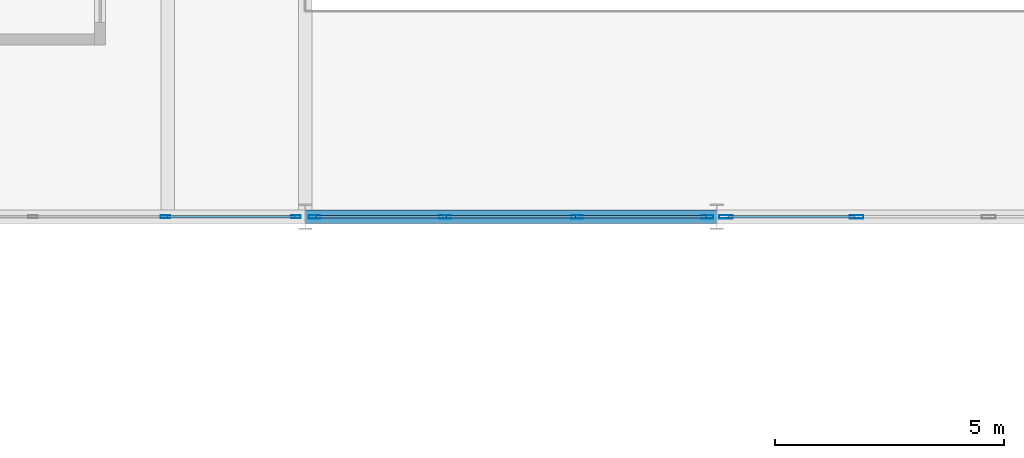
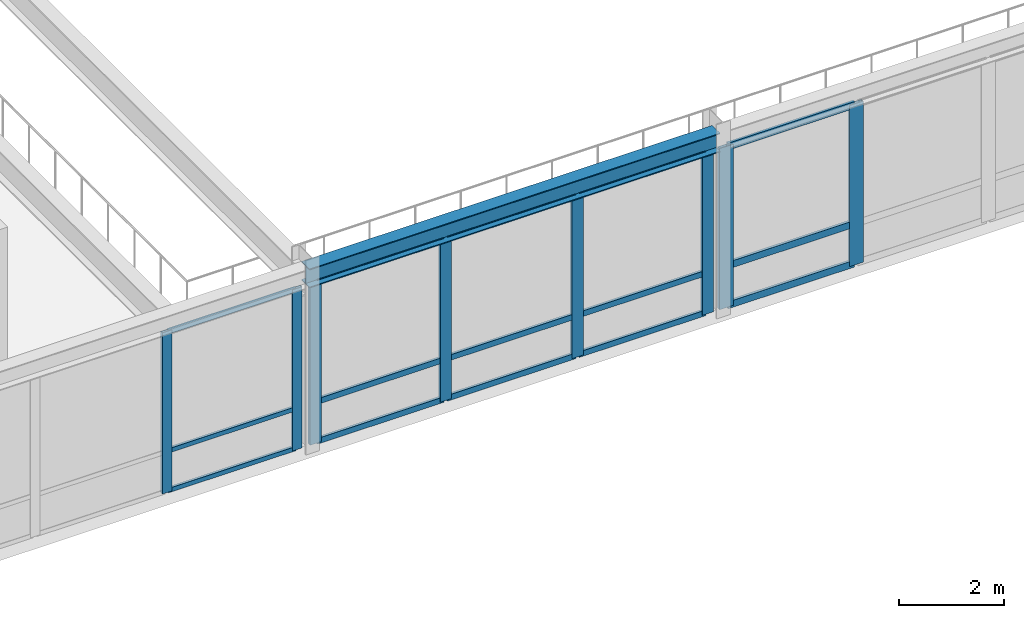
# One storey, part 51 of 127: 23 members, 1 beam, 3 elements without a shape of their own.
"""IFC4 building model written with IfcOpenShell, lengths in metres."""

import ifcopenshell
import ifcopenshell.guid

model = None  # the IFC model being written
_history = None  # IfcOwnerHistory: only IFC2X3 demands one
_inside = {}  # id of a spatial element -> (the spatial element, [elements in it])
_under = {}  # id of a project, library or spatial element -> (it, [spatial elements below it])
_declared = {}  # id of a project -> (the project, [libraries it declares])
_typed = {}  # id of a type object -> (the type object, [elements of that type])
_made_of = {}  # id of a material, layer set ... -> (it, [elements and type objects made of it])


def new_model(schema):
    """Start an empty IFC model of exactly this schema.

    Asked for "IFC4X3", IfcOpenShell would pick the latest addendum, in which some entities
    have other attributes; the version numbers below select the first issue.
    IFC2X3 requires an IfcOwnerHistory on every rooted entity: one is made here for all.
    """
    global model, _history
    if schema == "IFC4X3":
        model = ifcopenshell.file(schema_version=(4, 3, 0, 0))
    else:
        model = ifcopenshell.file(schema=schema)
    _inside.clear()
    _under.clear()
    _declared.clear()
    _typed.clear()
    _made_of.clear()
    _history = None
    if model.schema == "IFC2X3":
        org = make("IfcOrganization", Name="unknown")
        user = make(
            "IfcPersonAndOrganization",
            ThePerson=make("IfcPerson", FamilyName="unknown"),
            TheOrganization=org,
        )
        app = make(
            "IfcApplication",
            ApplicationDeveloper=org,
            Version="unknown",
            ApplicationFullName="unknown",
            ApplicationIdentifier="unknown",
        )
        _history = make(
            "IfcOwnerHistory",
            OwningUser=user,
            OwningApplication=app,
            ChangeAction="ADDED",
            CreationDate=0,
        )
    return model


def make(cls, **values):
    """One entity of the class cls with the attributes given. An attribute that is None is left unset."""
    return model.create_entity(
        cls, **{name: value for name, value in values.items() if value is not None}
    )


def rooted(cls, **values):
    """An entity with a GlobalId (a new one), such as an element, a storey or a relation."""
    return make(cls, GlobalId=ifcopenshell.guid.new(), OwnerHistory=_history, **values)


def si_unit(unit_type, name, prefix=None):
    """IfcSIUnit, for example si_unit("LENGTHUNIT", "METRE", prefix="MILLI")."""
    return make("IfcSIUnit", UnitType=unit_type, Prefix=prefix, Name=name)


def assignment(units):
    """IfcUnitAssignment: the units of a project."""
    return None if units is None else make("IfcUnitAssignment", Units=units)


def point(xyz):
    """IfcCartesianPoint."""
    return None if xyz is None else make("IfcCartesianPoint", Coordinates=xyz)


def direction(xyz):
    """IfcDirection."""
    return None if xyz is None else make("IfcDirection", DirectionRatios=xyz)


def frame(location, z_axis=None, x_axis=None):
    """IfcAxis2Placement3D, a coordinate frame: its origin and axes. An axis left out is left unset."""
    return make(
        "IfcAxis2Placement3D",
        Location=point(location),
        Axis=direction(z_axis),
        RefDirection=direction(x_axis),
    )


def frame_2d(location, x_axis=None):
    """IfcAxis2Placement2D, a coordinate frame in the plane: its origin and x axis."""
    return make(
        "IfcAxis2Placement2D", Location=point(location), RefDirection=direction(x_axis)
    )


def origin():
    """The frame at (0, 0, 0) with its axes left unset."""
    return frame((0.0, 0.0, 0.0))


def origin_2d():
    """The frame at (0, 0) in the plane with its x axis left unset."""
    return frame_2d((0.0, 0.0))


def place(relative_to, where):
    """IfcLocalPlacement: puts the frame where relative to a parent placement (None: the world)."""
    return make(
        "IfcLocalPlacement", PlacementRelTo=relative_to, RelativePlacement=where
    )


def context(
    kind, dimensions, precision=None, world=None, true_north=None, identifier=None
):
    """IfcGeometricRepresentationContext, for example the 3D "Model" context."""
    return make(
        "IfcGeometricRepresentationContext",
        ContextIdentifier=identifier,
        ContextType=kind,
        CoordinateSpaceDimension=dimensions,
        Precision=precision,
        WorldCoordinateSystem=world,
        TrueNorth=true_north,
    )


def subcontext(parent, identifier, kind, view, scale=None):
    """IfcGeometricRepresentationSubContext, for example "Body" below "Model"."""
    return make(
        "IfcGeometricRepresentationSubContext",
        ContextIdentifier=identifier,
        ContextType=kind,
        ParentContext=parent,
        TargetScale=scale,
        TargetView=view,
    )


def project(units=None, contexts=None):
    """IfcProject with its units and contexts."""
    return rooted(
        "IfcProject",
        Name="project",
        RepresentationContexts=contexts,
        UnitsInContext=assignment(units),
    )


def spatial(cls, under=None, at=None, **own):
    """A site, building, storey or space (cls), placed at a placement, below another one or the project."""
    s = rooted(cls, ObjectPlacement=at, **own)
    if under is not None:
        _under.setdefault(under.id(), (under, []))[1].append(s)
    return s


def profile(cls, at=None, kind="AREA", **sizes):
    """A parametric profile (cls). Its sizes go by their IFC names, for example OverallWidth=200.0."""
    return make(cls, ProfileType=kind, Position=at, **sizes)


def hollow_rectangle(**sizes):
    """IfcRectangleHollowProfileDef."""
    return profile("IfcRectangleHollowProfileDef", **sizes)


def i_section(**sizes):
    """IfcIShapeProfileDef."""
    return profile("IfcIShapeProfileDef", **sizes)


def extrude(swept, where, along, depth):
    """IfcExtrudedAreaSolid: the profile swept, set in the frame where, extruded along a direction by depth."""
    return make(
        "IfcExtrudedAreaSolid",
        SweptArea=swept,
        Position=where,
        ExtrudedDirection=direction(along),
        Depth=depth,
    )


def shape(context_of_items, identifier, shape_type, items):
    """IfcShapeRepresentation: the items that make up one representation, for example the "Body"."""
    return make(
        "IfcShapeRepresentation",
        ContextOfItems=context_of_items,
        RepresentationIdentifier=identifier,
        RepresentationType=shape_type,
        Items=items,
    )


def material(Name=None, Category=None):
    """IfcMaterial."""
    return make("IfcMaterial", Name=Name, Category=Category)


def layer(
    of_material, thickness, ventilated=None, Name=None, Category=None, Priority=None
):
    """IfcMaterialLayer: one layer of a wall or slab, of a material (None: an air gap)."""
    return make(
        "IfcMaterialLayer",
        Material=of_material,
        LayerThickness=thickness,
        IsVentilated=ventilated,
        Name=Name,
        Category=Category,
        Priority=Priority,
    )


def layer_set(layers, Name=None):
    """IfcMaterialLayerSet."""
    return make("IfcMaterialLayerSet", MaterialLayers=layers, LayerSetName=Name)


def material_profile(
    of_material, cross_section, Name=None, Category=None, Priority=None
):
    """IfcMaterialProfile: a cross section and its material."""
    return make(
        "IfcMaterialProfile",
        Name=Name,
        Material=of_material,
        Profile=cross_section,
        Priority=Priority,
        Category=Category,
    )


def profile_set(profiles, Name=None, composite=None):
    """IfcMaterialProfileSet."""
    return make(
        "IfcMaterialProfileSet",
        Name=Name,
        MaterialProfiles=profiles,
        CompositeProfile=composite,
    )


def made_of(thing, what):
    """Note that an element or type object is made of a material, layer set ...; save() writes the relation."""
    if what is not None:
        _made_of.setdefault(what.id(), (what, []))[1].append(thing)
    return thing


def type_object(cls, material=None, **own):
    """A type object (cls), such as IfcWallType, which elements share."""
    return made_of(rooted(cls, **own), material)


def element(
    cls,
    number,
    at=None,
    inside=None,
    cuts=None,
    type_object=None,
    material=None,
    context=None,
    identifier="Body",
    shape_type=None,
    held_by="IfcProductDefinitionShape",
    body=None,
    shapes=None,
    **own,
):
    """One element of the class cls, such as IfcWall. Its Tag is "e" and its number.

    at: its placement. inside: the storey or other place that contains it. cuts: it is an
    opening in that element (IfcRelVoidsElement). A single representation is given by context,
    identifier, shape_type and body (its items); several are given by shapes. held_by: the class
    of the entity that holds the representations. save() writes the other relations.
    """
    e = rooted(cls, Tag="e%d" % number, ObjectPlacement=at, **own)
    if body is not None:
        shapes = [shape(context, identifier, shape_type, body)]
    if shapes is not None:
        e.Representation = make(held_by, Representations=shapes)
    if inside is not None:
        _inside.setdefault(inside.id(), (inside, []))[1].append(e)
    if cuts is not None:
        rooted(
            "IfcRelVoidsElement", RelatingBuildingElement=cuts, RelatedOpeningElement=e
        )
    if type_object is not None:
        _typed.setdefault(type_object.id(), (type_object, []))[1].append(e)
    return made_of(e, material)


def aggregate(whole, parts):
    """IfcRelAggregates: a whole, such as a stair, and the parts it consists of."""
    return rooted("IfcRelAggregates", RelatingObject=whole, RelatedObjects=parts)


def save(model, path):
    """Write the relations noted so far, then the file.

    IfcRelAggregates (storeys below a building ...), IfcRelContainedInSpatialStructure (elements
    in a storey), IfcRelDefinesByType, IfcRelAssociatesMaterial and IfcRelDeclares: one each for
    every whole, place, type object, material and project.
    """
    for whole, parts in _under.values():
        aggregate(whole, parts)
    for where, things in _inside.values():
        rooted(
            "IfcRelContainedInSpatialStructure",
            RelatedElements=things,
            RelatingStructure=where,
        )
    for kind, things in _typed.values():
        rooted("IfcRelDefinesByType", RelatedObjects=things, RelatingType=kind)
    for what, things in _made_of.values():
        rooted("IfcRelAssociatesMaterial", RelatedObjects=things, RelatingMaterial=what)
    for by, libraries in _declared.values():
        rooted("IfcRelDeclares", RelatingContext=by, RelatedDefinitions=libraries)
    model.write(path)


model = new_model("IFC4")

# Units and contexts
model_context = context("Model", 3, precision=1e-05, world=origin(), true_north=direction((0.0, 1.0)))
body_context = subcontext(model_context, "Body", "Model", "MODEL_VIEW")
ifc_project = project(units=[si_unit("LENGTHUNIT", "METRE"), si_unit("AREAUNIT", "SQUARE_METRE"), si_unit("VOLUMEUNIT", "CUBIC_METRE"), si_unit("PLANEANGLEUNIT", "RADIAN"), si_unit("MASSUNIT", "GRAM", prefix="KILO")], contexts=[model_context])

# Site, building, storey
site_placement = place(None, origin())
site = spatial("IfcSite", under=ifc_project, at=site_placement, CompositionType="ELEMENT")
building_placement = place(site_placement, origin())
building = spatial("IfcBuilding", under=site, at=building_placement, Name="Montelvaro Courts of Justice", CompositionType="ELEMENT")
storey_placement = place(building_placement, frame((0.0, 0.0, 5.39990234375)))
storey = spatial("IfcBuildingStorey", under=building, at=storey_placement, Name="L01", CompositionType="ELEMENT", Elevation=5.39990234375)

# Beam
ifc_material_1 = material(Name="Steel S355", Category="steel")
ifc_material_profile_1 = material_profile(ifc_material_1, i_section(OverallWidth=0.300048828125, OverallDepth=0.43994140625, WebThickness=0.011474609375, FlangeThickness=0.02099609375, at=origin_2d()), Name="HEA 450")
ifc_profile_set_1 = profile_set([ifc_material_profile_1], Name="Steel S355")
beam_type = type_object("IfcBeamType", Name="Beam_HEA450", PredefinedType="USERDEFINED", material=ifc_profile_set_1)
beam_placement = place(storey_placement, frame((36.0, 78.0, 3.960205078125), z_axis=(1.0, 0.0, 0.0), x_axis=(0.0, 1.0, 0.0)))
element("IfcBeam", 1, at=beam_placement, inside=storey, type_object=beam_type, Name="Beam B-18 L01", ObjectType="GIRDER", PredefinedType="USERDEFINED", context=body_context, shape_type="SweptSolid", body=[
    extrude(i_section(OverallWidth=0.300048828125, OverallDepth=0.43994140625, WebThickness=0.011474609375, FlangeThickness=0.02099609375, at=origin_2d()), origin(), (0.0, 0.0, 1.0), 9.0),
])

# Curtain wall, members
ifc_material_2 = material(Name="Anodised aluminium EN AW-6063", Category="aluminium")
ifc_layer = layer(ifc_material_2, 0.159912109375)
ifc_layer_set = layer_set([ifc_layer], Name="Anodised aluminium EN AW-6063")
curtain_wall_type = type_object("IfcCurtainWallType", Name="CurtainWall_14_867x418", PredefinedType="USERDEFINED", material=ifc_layer_set)
curtain_wall_1_placement = place(storey_placement, origin())
curtain_wall_1 = element("IfcCurtainWall", 2, at=curtain_wall_1_placement, inside=storey, type_object=curtain_wall_type, Name="Curtain Wall CW-14 (L01)", ObjectType="CURTAIN WALL", PredefinedType="USERDEFINED")
ifc_material_profile_2 = material_profile(ifc_material_2, hollow_rectangle(XDim=0.06494140625, YDim=0.2099609375, WallThickness=0.0048828125, at=origin_2d()), Name="ALU-M 65x210")
ifc_profile_set_2 = profile_set([ifc_material_profile_2], Name="Anodised aluminium EN AW-6063")
member_type_1 = type_object("IfcMemberType", Name="CurtainWall_Mullion_65x210", PredefinedType="MULLION", material=ifc_profile_set_2)
member_1_placement = place(storey_placement, frame((32.945068359375, 78.0, 0.0), z_axis=(0.0, 0.0, 1.0), x_axis=(0.0, 1.0, 0.0)))
member_1 = element("IfcMember", 3, at=member_1_placement, type_object=member_type_1, Name="CW-14 mullion 3", PredefinedType="MULLION", context=body_context, shape_type="SweptSolid", body=[
    extrude(hollow_rectangle(XDim=0.06494140625, YDim=0.2099609375, WallThickness=0.0048828125, at=origin_2d()), origin(), (0.0, 0.0, 1.0), 3.735107421875),
])
member_2_placement = place(storey_placement, frame((35.802490234375, 78.0, 0.0), z_axis=(0.0, 0.0, 1.0), x_axis=(0.0, 1.0, 0.0)))
member_2 = element("IfcMember", 4, at=member_2_placement, type_object=member_type_1, Name="CW-14 mullion 4", PredefinedType="MULLION", context=body_context, shape_type="SweptSolid", body=[
    extrude(hollow_rectangle(XDim=0.06494140625, YDim=0.2099609375, WallThickness=0.0048828125, at=origin_2d()), origin(), (0.0, 0.0, 1.0), 3.735107421875),
])

curtain_wall_2_placement = place(storey_placement, origin())
curtain_wall_2 = element("IfcCurtainWall", 5, at=curtain_wall_2_placement, inside=storey, type_object=curtain_wall_type, Name="Curtain Wall CW-14 (L01)", ObjectType="CURTAIN WALL", PredefinedType="USERDEFINED")
ifc_material_profile_3 = material_profile(ifc_material_2, hollow_rectangle(XDim=0.074951171875, YDim=0.25, WallThickness=0.005615234375, at=origin_2d()), Name="ALU-M 75x250")
ifc_profile_set_3 = profile_set([ifc_material_profile_3], Name="Anodised aluminium EN AW-6063")
member_type_2 = type_object("IfcMemberType", Name="CurtainWall_Mullion_75x250", PredefinedType="MULLION", material=ifc_profile_set_3)
member_3_placement = place(storey_placement, frame((36.202392578125, 78.0, 0.0), z_axis=(0.0, 0.0, 1.0), x_axis=(0.0, 1.0, 0.0)))
member_3 = element("IfcMember", 6, at=member_3_placement, type_object=member_type_2, Name="CW-14 mullion 1", PredefinedType="MULLION", context=body_context, shape_type="SweptSolid", body=[
    extrude(hollow_rectangle(XDim=0.074951171875, YDim=0.25, WallThickness=0.005615234375, at=origin_2d()), origin(), (0.0, 0.0, 1.0), 3.735107421875),
])
member_4_placement = place(storey_placement, frame((39.054931640625, 78.0, 0.0), z_axis=(0.0, 0.0, 1.0), x_axis=(0.0, 1.0, 0.0)))
member_4 = element("IfcMember", 7, at=member_4_placement, type_object=member_type_2, Name="CW-14 mullion 2", PredefinedType="MULLION", context=body_context, shape_type="SweptSolid", body=[
    extrude(hollow_rectangle(XDim=0.074951171875, YDim=0.25, WallThickness=0.005615234375, at=origin_2d()), origin(), (0.0, 0.0, 1.0), 3.735107421875),
])
member_5_placement = place(storey_placement, frame((41.945068359375, 78.0, 0.0), z_axis=(0.0, 0.0, 1.0), x_axis=(0.0, 1.0, 0.0)))
member_5 = element("IfcMember", 8, at=member_5_placement, type_object=member_type_2, Name="CW-14 mullion 3", PredefinedType="MULLION", context=body_context, shape_type="SweptSolid", body=[
    extrude(hollow_rectangle(XDim=0.074951171875, YDim=0.25, WallThickness=0.005615234375, at=origin_2d()), origin(), (0.0, 0.0, 1.0), 3.735107421875),
])
member_6_placement = place(storey_placement, frame((44.797607421875, 78.0, 0.0), z_axis=(0.0, 0.0, 1.0), x_axis=(0.0, 1.0, 0.0)))
member_6 = element("IfcMember", 9, at=member_6_placement, type_object=member_type_2, Name="CW-14 mullion 4", PredefinedType="MULLION", context=body_context, shape_type="SweptSolid", body=[
    extrude(hollow_rectangle(XDim=0.074951171875, YDim=0.25, WallThickness=0.005615234375, at=origin_2d()), origin(), (0.0, 0.0, 1.0), 3.735107421875),
])

curtain_wall_3_placement = place(storey_placement, origin())
curtain_wall_3 = element("IfcCurtainWall", 10, at=curtain_wall_3_placement, inside=storey, type_object=curtain_wall_type, Name="Curtain Wall CW-14 (L01)", ObjectType="CURTAIN WALL", PredefinedType="USERDEFINED")
ifc_material_profile_4 = material_profile(ifc_material_2, hollow_rectangle(XDim=0.074951171875, YDim=0.300048828125, WallThickness=0.006103515625, at=origin_2d()), Name="ALU-M 75x300")
ifc_profile_set_4 = profile_set([ifc_material_profile_4], Name="Anodised aluminium EN AW-6063")
member_type_3 = type_object("IfcMemberType", Name="CurtainWall_Mullion_75x300", PredefinedType="MULLION", material=ifc_profile_set_4)
member_7_placement = place(storey_placement, frame((45.202392578125, 78.0, 0.0), z_axis=(0.0, 0.0, 1.0), x_axis=(0.0, 1.0, 0.0)))
member_7 = element("IfcMember", 11, at=member_7_placement, type_object=member_type_3, Name="CW-14 mullion 1", PredefinedType="MULLION", context=body_context, shape_type="SweptSolid", body=[
    extrude(hollow_rectangle(XDim=0.074951171875, YDim=0.300048828125, WallThickness=0.006103515625, at=origin_2d()), origin(), (0.0, 0.0, 1.0), 3.735107421875),
])
member_8_placement = place(storey_placement, frame((48.054931640625, 78.0, 0.0), z_axis=(0.0, 0.0, 1.0), x_axis=(0.0, 1.0, 0.0)))
member_8 = element("IfcMember", 12, at=member_8_placement, type_object=member_type_3, Name="CW-14 mullion 2", PredefinedType="MULLION", context=body_context, shape_type="SweptSolid", body=[
    extrude(hollow_rectangle(XDim=0.074951171875, YDim=0.300048828125, WallThickness=0.006103515625, at=origin_2d()), origin(), (0.0, 0.0, 1.0), 3.735107421875),
])

# Member
ifc_material_profile_5 = material_profile(ifc_material_2, hollow_rectangle(XDim=0.06005859375, YDim=0.10009765625, WallThickness=0.00341796875, at=origin_2d()), Name="ALU-T 60x100")
ifc_profile_set_5 = profile_set([ifc_material_profile_5], Name="Anodised aluminium EN AW-6063")
member_type_4 = type_object("IfcMemberType", Name="CurtainWall_Transom_60x100", PredefinedType="USERDEFINED", material=ifc_profile_set_5)
member_9_placement = place(storey_placement, frame((32.9775390625, 78.0, 0.030029296875), z_axis=(1.0, 0.0, 0.0), x_axis=(0.0, 1.0, 0.0)))
member_9 = element("IfcMember", 13, at=member_9_placement, type_object=member_type_4, Name="CW-14 transom 3.1", ObjectType="TRANSOM", PredefinedType="USERDEFINED", context=body_context, shape_type="SweptSolid", body=[
    extrude(hollow_rectangle(XDim=0.06005859375, YDim=0.10009765625, WallThickness=0.00341796875, at=origin_2d()), origin(), (0.0, 0.0, 1.0), 2.79248046875),
])

member_10_placement = place(storey_placement, frame((32.9775390625, 78.0, 0.9501953125), z_axis=(1.0, 0.0, 0.0), x_axis=(0.0, 1.0, 0.0)))
member_10 = element("IfcMember", 14, at=member_10_placement, type_object=member_type_4, Name="CW-14 transom 3.2", ObjectType="TRANSOM", PredefinedType="USERDEFINED", context=body_context, shape_type="SweptSolid", body=[
    extrude(hollow_rectangle(XDim=0.06005859375, YDim=0.10009765625, WallThickness=0.00341796875, at=origin_2d()), origin(), (0.0, 0.0, 1.0), 2.79248046875),
])

member_11_placement = place(storey_placement, frame((32.9775390625, 78.0, 3.705078125), z_axis=(1.0, 0.0, 0.0), x_axis=(0.0, 1.0, 0.0)))
member_11 = element("IfcMember", 15, at=member_11_placement, type_object=member_type_4, Name="CW-14 transom 3.3", ObjectType="TRANSOM", PredefinedType="USERDEFINED", context=body_context, shape_type="SweptSolid", body=[
    extrude(hollow_rectangle(XDim=0.06005859375, YDim=0.10009765625, WallThickness=0.00341796875, at=origin_2d()), origin(), (0.0, 0.0, 1.0), 2.79248046875),
])

aggregate(curtain_wall_1, [member_1, member_2, member_9, member_10, member_11])

ifc_material_profile_6 = material_profile(ifc_material_2, hollow_rectangle(XDim=0.06005859375, YDim=0.1298828125, WallThickness=0.00390625, at=origin_2d()), Name="ALU-T 60x130")
ifc_profile_set_6 = profile_set([ifc_material_profile_6], Name="Anodised aluminium EN AW-6063")
member_type_5 = type_object("IfcMemberType", Name="CurtainWall_Transom_60x130", PredefinedType="USERDEFINED", material=ifc_profile_set_6)
member_12_placement = place(storey_placement, frame((36.239990234375, 78.0, 0.030029296875), z_axis=(1.0, 0.0, 0.0), x_axis=(0.0, 1.0, 0.0)))
member_12 = element("IfcMember", 16, at=member_12_placement, type_object=member_type_5, Name="CW-14 transom 1.1", ObjectType="TRANSOM", PredefinedType="USERDEFINED", context=body_context, shape_type="SweptSolid", body=[
    extrude(hollow_rectangle(XDim=0.06005859375, YDim=0.1298828125, WallThickness=0.00390625, at=origin_2d()), origin(), (0.0, 0.0, 1.0), 2.777587890625),
])

member_13_placement = place(storey_placement, frame((36.239990234375, 78.0, 0.9501953125), z_axis=(1.0, 0.0, 0.0), x_axis=(0.0, 1.0, 0.0)))
member_13 = element("IfcMember", 17, at=member_13_placement, type_object=member_type_5, Name="CW-14 transom 1.2", ObjectType="TRANSOM", PredefinedType="USERDEFINED", context=body_context, shape_type="SweptSolid", body=[
    extrude(hollow_rectangle(XDim=0.06005859375, YDim=0.1298828125, WallThickness=0.00390625, at=origin_2d()), origin(), (0.0, 0.0, 1.0), 2.777587890625),
])

member_14_placement = place(storey_placement, frame((36.239990234375, 78.0, 3.705078125), z_axis=(1.0, 0.0, 0.0), x_axis=(0.0, 1.0, 0.0)))
member_14 = element("IfcMember", 18, at=member_14_placement, type_object=member_type_5, Name="CW-14 transom 1.3", ObjectType="TRANSOM", PredefinedType="USERDEFINED", context=body_context, shape_type="SweptSolid", body=[
    extrude(hollow_rectangle(XDim=0.06005859375, YDim=0.1298828125, WallThickness=0.00390625, at=origin_2d()), origin(), (0.0, 0.0, 1.0), 2.777587890625),
])

member_15_placement = place(storey_placement, frame((39.092529296875, 78.0, 0.030029296875), z_axis=(1.0, 0.0, 0.0), x_axis=(0.0, 1.0, 0.0)))
member_15 = element("IfcMember", 19, at=member_15_placement, type_object=member_type_5, Name="CW-14 transom 2.1", ObjectType="TRANSOM", PredefinedType="USERDEFINED", context=body_context, shape_type="SweptSolid", body=[
    extrude(hollow_rectangle(XDim=0.06005859375, YDim=0.1298828125, WallThickness=0.00390625, at=origin_2d()), origin(), (0.0, 0.0, 1.0), 2.81494140625),
])

member_16_placement = place(storey_placement, frame((39.092529296875, 78.0, 0.9501953125), z_axis=(1.0, 0.0, 0.0), x_axis=(0.0, 1.0, 0.0)))
member_16 = element("IfcMember", 20, at=member_16_placement, type_object=member_type_5, Name="CW-14 transom 2.2", ObjectType="TRANSOM", PredefinedType="USERDEFINED", context=body_context, shape_type="SweptSolid", body=[
    extrude(hollow_rectangle(XDim=0.06005859375, YDim=0.1298828125, WallThickness=0.00390625, at=origin_2d()), origin(), (0.0, 0.0, 1.0), 2.81494140625),
])

member_17_placement = place(storey_placement, frame((39.092529296875, 78.0, 3.705078125), z_axis=(1.0, 0.0, 0.0), x_axis=(0.0, 1.0, 0.0)))
member_17 = element("IfcMember", 21, at=member_17_placement, type_object=member_type_5, Name="CW-14 transom 2.3", ObjectType="TRANSOM", PredefinedType="USERDEFINED", context=body_context, shape_type="SweptSolid", body=[
    extrude(hollow_rectangle(XDim=0.06005859375, YDim=0.1298828125, WallThickness=0.00390625, at=origin_2d()), origin(), (0.0, 0.0, 1.0), 2.81494140625),
])

member_18_placement = place(storey_placement, frame((41.982421875, 78.0, 0.030029296875), z_axis=(1.0, 0.0, 0.0), x_axis=(0.0, 1.0, 0.0)))
member_18 = element("IfcMember", 22, at=member_18_placement, type_object=member_type_5, Name="CW-14 transom 3.1", ObjectType="TRANSOM", PredefinedType="USERDEFINED", context=body_context, shape_type="SweptSolid", body=[
    extrude(hollow_rectangle(XDim=0.06005859375, YDim=0.1298828125, WallThickness=0.00390625, at=origin_2d()), origin(), (0.0, 0.0, 1.0), 2.777587890625),
])

member_19_placement = place(storey_placement, frame((41.982421875, 78.0, 0.9501953125), z_axis=(1.0, 0.0, 0.0), x_axis=(0.0, 1.0, 0.0)))
member_19 = element("IfcMember", 23, at=member_19_placement, type_object=member_type_5, Name="CW-14 transom 3.2", ObjectType="TRANSOM", PredefinedType="USERDEFINED", context=body_context, shape_type="SweptSolid", body=[
    extrude(hollow_rectangle(XDim=0.06005859375, YDim=0.1298828125, WallThickness=0.00390625, at=origin_2d()), origin(), (0.0, 0.0, 1.0), 2.777587890625),
])

member_20_placement = place(storey_placement, frame((41.982421875, 78.0, 3.705078125), z_axis=(1.0, 0.0, 0.0), x_axis=(0.0, 1.0, 0.0)))
member_20 = element("IfcMember", 24, at=member_20_placement, type_object=member_type_5, Name="CW-14 transom 3.3", ObjectType="TRANSOM", PredefinedType="USERDEFINED", context=body_context, shape_type="SweptSolid", body=[
    extrude(hollow_rectangle(XDim=0.06005859375, YDim=0.1298828125, WallThickness=0.00390625, at=origin_2d()), origin(), (0.0, 0.0, 1.0), 2.777587890625),
])

aggregate(curtain_wall_2, [member_3, member_4, member_5, member_6, member_12, member_13, member_14, member_15, member_16, member_17, member_18, member_19, member_20])

ifc_material_profile_7 = material_profile(ifc_material_2, hollow_rectangle(XDim=0.06005859375, YDim=0.159912109375, WallThickness=0.00439453125, at=origin_2d()), Name="ALU-T 60x160")
ifc_profile_set_7 = profile_set([ifc_material_profile_7], Name="Anodised aluminium EN AW-6063")
member_type_6 = type_object("IfcMemberType", Name="CurtainWall_Transom_60x160", PredefinedType="USERDEFINED", material=ifc_profile_set_7)
member_21_placement = place(storey_placement, frame((45.239990234375, 78.0, 0.030029296875), z_axis=(1.0, 0.0, 0.0), x_axis=(0.0, 1.0, 0.0)))
member_21 = element("IfcMember", 25, at=member_21_placement, type_object=member_type_6, Name="CW-14 transom 1.1", ObjectType="TRANSOM", PredefinedType="USERDEFINED", context=body_context, shape_type="SweptSolid", body=[
    extrude(hollow_rectangle(XDim=0.06005859375, YDim=0.159912109375, WallThickness=0.00439453125, at=origin_2d()), origin(), (0.0, 0.0, 1.0), 2.777587890625),
])

member_22_placement = place(storey_placement, frame((45.239990234375, 78.0, 0.9501953125), z_axis=(1.0, 0.0, 0.0), x_axis=(0.0, 1.0, 0.0)))
member_22 = element("IfcMember", 26, at=member_22_placement, type_object=member_type_6, Name="CW-14 transom 1.2", ObjectType="TRANSOM", PredefinedType="USERDEFINED", context=body_context, shape_type="SweptSolid", body=[
    extrude(hollow_rectangle(XDim=0.06005859375, YDim=0.159912109375, WallThickness=0.00439453125, at=origin_2d()), origin(), (0.0, 0.0, 1.0), 2.777587890625),
])

member_23_placement = place(storey_placement, frame((45.239990234375, 78.0, 3.705078125), z_axis=(1.0, 0.0, 0.0), x_axis=(0.0, 1.0, 0.0)))
member_23 = element("IfcMember", 27, at=member_23_placement, type_object=member_type_6, Name="CW-14 transom 1.3", ObjectType="TRANSOM", PredefinedType="USERDEFINED", context=body_context, shape_type="SweptSolid", body=[
    extrude(hollow_rectangle(XDim=0.06005859375, YDim=0.159912109375, WallThickness=0.00439453125, at=origin_2d()), origin(), (0.0, 0.0, 1.0), 2.777587890625),
])

aggregate(curtain_wall_3, [member_7, member_8, member_21, member_22, member_23])

save(model, "model.ifc")
